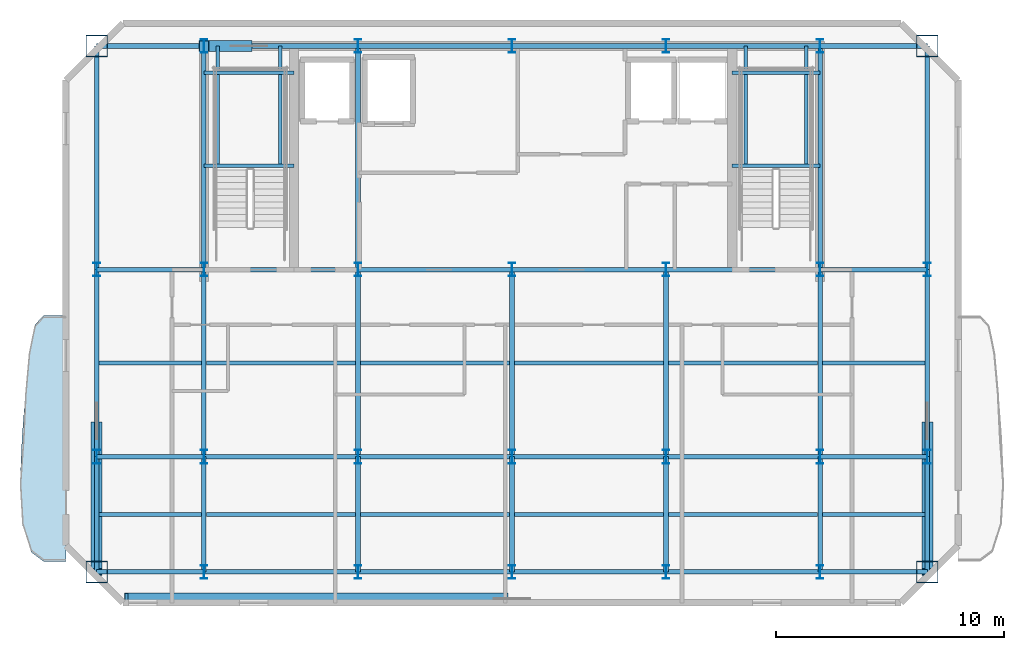
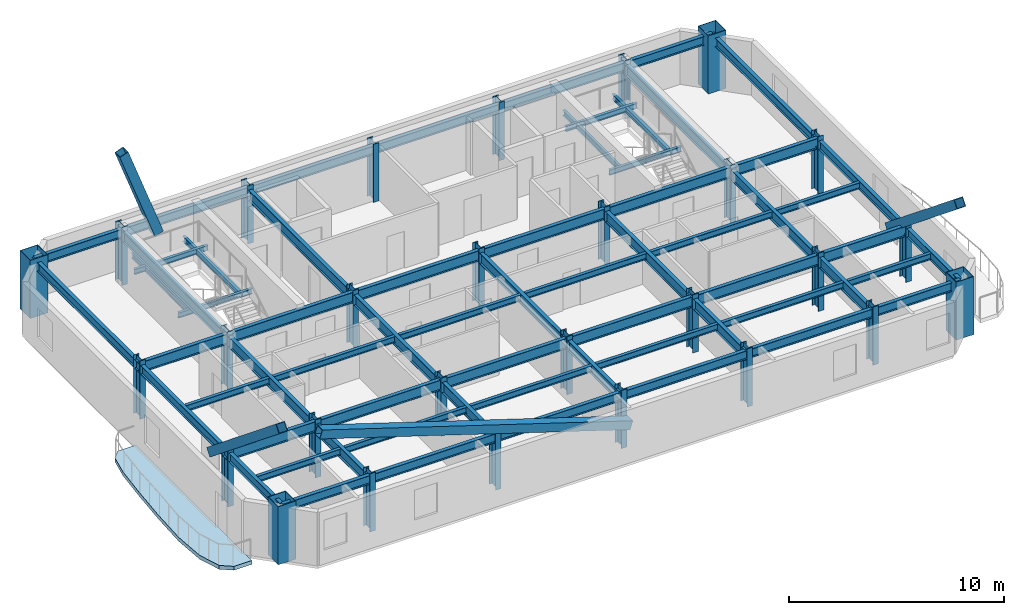
# One storey, part 1 of 6: 63 beams, 28 columns, 4 members, 1 slab.
"""IFC4 building model written with IfcOpenShell, lengths in metres."""

from ifc_helpers import new_model, si_unit, direction, frame, origin, origin_2d, place, context, subcontext, project, spatial, polyline, hollow_rectangle, i_section, outline, extrude, material, layer, layer_set, material_profile, profile_set, type_object, element, save


model = new_model("IFC4")

# Units and contexts
model_context = context("Model", 3, precision=1e-05, world=origin(), true_north=direction((0.0, 1.0)))
body_context = subcontext(model_context, "Body", "Model", "MODEL_VIEW")
ifc_project = project(units=[si_unit("LENGTHUNIT", "METRE"), si_unit("AREAUNIT", "SQUARE_METRE"), si_unit("VOLUMEUNIT", "CUBIC_METRE"), si_unit("PLANEANGLEUNIT", "RADIAN"), si_unit("MASSUNIT", "GRAM", prefix="KILO")], contexts=[model_context])

# Site, building, storey
site_placement = place(None, origin())
site = spatial("IfcSite", under=ifc_project, at=site_placement, CompositionType="ELEMENT")
building_placement = place(site_placement, origin())
building = spatial("IfcBuilding", under=site, at=building_placement, Name="Haevon Station Towers", CompositionType="ELEMENT")
storey_placement = place(building_placement, frame((0.0, 0.0, 262.5)))
storey = spatial("IfcBuildingStorey", under=building, at=storey_placement, Name="L73", CompositionType="ELEMENT", Elevation=262.5)

# Columns
ifc_material_1 = material(Name="Steel S460", Category="steel")
ifc_material_profile_1 = material_profile(ifc_material_1, hollow_rectangle(XDim=0.949951171875, YDim=0.949951171875, WallThickness=0.028076171875, at=origin_2d()), Name="BOX-950x950x28")
ifc_profile_set_1 = profile_set([ifc_material_profile_1], Name="Steel S460")
column_type_1 = type_object("IfcColumnType", Name="COL-MC6", PredefinedType="COLUMN", material=ifc_profile_set_1)
for number, where, z_axis, x_axis, name in (
    (1, (19.300048828125, 24.949951171875, 0.0), (0.0, 0.0, 1.0), (1.0, 0.0, 0.0), "COL-T1-L73-01-01"),
    (2, (19.300048828125, 48.0, 0.0), (0.0, 0.0, 1.0), (1.0, 0.0, 0.0), "COL-T1-L73-01-04"),
    (3, (55.699951171875, 24.949951171875, 0.0), (0.0, 0.0, 1.0), (1.0, 0.0, 0.0), "COL-T1-L73-07-01"),
    (4, (55.699951171875, 48.0, 0.0), (0.0, 0.0, 1.0), (1.0, 0.0, 0.0), "COL-T1-L73-07-04"),
):
    element("IfcColumn", number, at=place(storey_placement, frame(where, z_axis=z_axis, x_axis=x_axis)), inside=storey, type_object=column_type_1, Name=name, PredefinedType="COLUMN", context=body_context, shape_type="SweptSolid", body=[
        extrude(hollow_rectangle(XDim=0.949951171875, YDim=0.949951171875, WallThickness=0.028076171875, at=origin_2d()), origin(), (0.0, 0.0, 1.0), 3.300048828125),
    ])
ifc_material_2 = material(Name="Steel S355", Category="steel")
ifc_material_profile_2 = material_profile(ifc_material_2, i_section(OverallWidth=0.300048828125, OverallDepth=0.60009765625, WebThickness=0.013916015625, FlangeThickness=0.02490234375, at=origin_2d()), Name="H-600x300x14x25")
ifc_profile_set_2 = profile_set([ifc_material_profile_2], Name="Steel S355")
column_type_2 = type_object("IfcColumnType", Name="COL-TW4", PredefinedType="COLUMN", material=ifc_profile_set_2)
for number, where, z_axis, x_axis, name in (
    (5, (19.300048828125, 30.0, 0.0), (0.0, 0.0, 1.0), (1.0, 0.0, 0.0), "COL-T1-L73-01-02"),
    (6, (19.300048828125, 38.199951171875, 0.0), (0.0, 0.0, 1.0), (1.0, 0.0, 0.0), "COL-T1-L73-01-03"),
    (7, (24.0, 24.949951171875, 0.0), (0.0, 0.0, 1.0), (1.0, 0.0, 0.0), "COL-T1-L73-02-01"),
    (8, (24.0, 30.0, 0.0), (0.0, 0.0, 1.0), (1.0, 0.0, 0.0), "COL-T1-L73-02-02"),
    (9, (24.0, 38.199951171875, 0.0), (0.0, 0.0, 1.0), (1.0, 0.0, 0.0), "COL-T1-L73-02-03"),
    (10, (24.0, 48.0, 0.0), (0.0, 0.0, 1.0), (1.0, 0.0, 0.0), "COL-T1-L73-02-04"),
    (11, (30.75, 24.949951171875, 0.0), (0.0, 0.0, 1.0), (1.0, 0.0, 0.0), "COL-T1-L73-03-01"),
    (12, (30.75, 30.0, 0.0), (0.0, 0.0, 1.0), (1.0, 0.0, 0.0), "COL-T1-L73-03-02"),
    (13, (30.75, 38.199951171875, 0.0), (0.0, 0.0, 1.0), (1.0, 0.0, 0.0), "COL-T1-L73-03-03"),
    (14, (30.75, 48.0, 0.0), (0.0, 0.0, 1.0), (1.0, 0.0, 0.0), "COL-T1-L73-03-04"),
    (15, (37.5, 24.949951171875, 0.0), (0.0, 0.0, 1.0), (1.0, 0.0, 0.0), "COL-T1-L73-04-01"),
    (16, (37.5, 30.0, 0.0), (0.0, 0.0, 1.0), (1.0, 0.0, 0.0), "COL-T1-L73-04-02"),
    (17, (37.5, 38.199951171875, 0.0), (0.0, 0.0, 1.0), (1.0, 0.0, 0.0), "COL-T1-L73-04-03"),
    (18, (37.5, 48.0, 0.0), (0.0, 0.0, 1.0), (1.0, 0.0, 0.0), "COL-T1-L73-04-04"),
    (19, (44.25, 24.949951171875, 0.0), (0.0, 0.0, 1.0), (1.0, 0.0, 0.0), "COL-T1-L73-05-01"),
    (20, (44.25, 30.0, 0.0), (0.0, 0.0, 1.0), (1.0, 0.0, 0.0), "COL-T1-L73-05-02"),
    (21, (44.25, 38.199951171875, 0.0), (0.0, 0.0, 1.0), (1.0, 0.0, 0.0), "COL-T1-L73-05-03"),
    (22, (44.25, 48.0, 0.0), (0.0, 0.0, 1.0), (1.0, 0.0, 0.0), "COL-T1-L73-05-04"),
    (23, (51.0, 24.949951171875, 0.0), (0.0, 0.0, 1.0), (1.0, 0.0, 0.0), "COL-T1-L73-06-01"),
    (24, (51.0, 30.0, 0.0), (0.0, 0.0, 1.0), (1.0, 0.0, 0.0), "COL-T1-L73-06-02"),
    (25, (51.0, 38.199951171875, 0.0), (0.0, 0.0, 1.0), (1.0, 0.0, 0.0), "COL-T1-L73-06-03"),
    (26, (51.0, 48.0, 0.0), (0.0, 0.0, 1.0), (1.0, 0.0, 0.0), "COL-T1-L73-06-04"),
    (27, (55.699951171875, 30.0, 0.0), (0.0, 0.0, 1.0), (1.0, 0.0, 0.0), "COL-T1-L73-07-02"),
    (28, (55.699951171875, 38.199951171875, 0.0), (0.0, 0.0, 1.0), (1.0, 0.0, 0.0), "COL-T1-L73-07-03"),
):
    element("IfcColumn", number, at=place(storey_placement, frame(where, z_axis=z_axis, x_axis=x_axis)), inside=storey, type_object=column_type_2, Name=name, PredefinedType="COLUMN", context=body_context, shape_type="SweptSolid", body=[
        extrude(i_section(OverallWidth=0.300048828125, OverallDepth=0.60009765625, WebThickness=0.013916015625, FlangeThickness=0.02490234375, at=origin_2d()), origin(), (0.0, 0.0, 1.0), 3.300048828125),
    ])

# Beams
ifc_material_profile_3 = material_profile(ifc_material_2, i_section(OverallWidth=0.199951171875, OverallDepth=0.60009765625, WebThickness=0.010986328125, FlangeThickness=0.01708984375, at=origin_2d()), Name="H-600x200x11x17")
ifc_profile_set_3 = profile_set([ifc_material_profile_3], Name="Steel S355")
beam_type_1 = type_object("IfcBeamType", Name="BM-G600", PredefinedType="BEAM", material=ifc_profile_set_3)
beam_1_placement = place(storey_placement, frame((19.300048828125, 30.0, 2.75), z_axis=(1.0, 0.0, 0.0), x_axis=(0.0, 1.0, 0.0)))
element("IfcBeam", 29, at=beam_1_placement, inside=storey, type_object=beam_type_1, Name="BM-T1U-L73-02-01", PredefinedType="BEAM", context=body_context, shape_type="SweptSolid", body=[
    extrude(i_section(OverallWidth=0.199951171875, OverallDepth=0.60009765625, WebThickness=0.010986328125, FlangeThickness=0.01708984375, at=origin_2d()), origin(), (0.0, 0.0, 1.0), 4.699951171875),
])
for number, where, z_axis, x_axis, name in (
    (30, (24.0, 30.0, 2.75), (1.0, 0.0, 0.0), (0.0, 1.0, 0.0), "BM-T1U-L73-02-02"),
    (31, (30.75, 30.0, 2.75), (1.0, 0.0, 0.0), (0.0, 1.0, 0.0), "BM-T1U-L73-02-03"),
    (32, (37.5, 30.0, 2.75), (1.0, 0.0, 0.0), (0.0, 1.0, 0.0), "BM-T1U-L73-02-04"),
    (33, (44.25, 30.0, 2.75), (1.0, 0.0, 0.0), (0.0, 1.0, 0.0), "BM-T1U-L73-02-05"),
):
    element("IfcBeam", number, at=place(storey_placement, frame(where, z_axis=z_axis, x_axis=x_axis)), inside=storey, type_object=beam_type_1, Name=name, PredefinedType="BEAM", context=body_context, shape_type="SweptSolid", body=[
        extrude(i_section(OverallWidth=0.199951171875, OverallDepth=0.60009765625, WebThickness=0.010986328125, FlangeThickness=0.01708984375, at=origin_2d()), origin(), (0.0, 0.0, 1.0), 6.75),
    ])
for number, where, z_axis, x_axis, name in (
    (34, (51.0, 30.0, 2.75), (1.0, 0.0, 0.0), (0.0, 1.0, 0.0), "BM-T1U-L73-02-06"),
    (35, (19.300048828125, 38.199951171875, 2.75), (1.0, 0.0, 0.0), (0.0, 1.0, 0.0), "BM-T1U-L73-03-01"),
):
    element("IfcBeam", number, at=place(storey_placement, frame(where, z_axis=z_axis, x_axis=x_axis)), inside=storey, type_object=beam_type_1, Name=name, PredefinedType="BEAM", context=body_context, shape_type="SweptSolid", body=[
        extrude(i_section(OverallWidth=0.199951171875, OverallDepth=0.60009765625, WebThickness=0.010986328125, FlangeThickness=0.01708984375, at=origin_2d()), origin(), (0.0, 0.0, 1.0), 4.699951171875),
    ])
for number, where, z_axis, x_axis, name in (
    (36, (24.0, 38.199951171875, 2.75), (1.0, 0.0, 0.0), (0.0, 1.0, 0.0), "BM-T1U-L73-03-02"),
    (37, (30.75, 38.199951171875, 2.75), (1.0, 0.0, 0.0), (0.0, 1.0, 0.0), "BM-T1U-L73-03-03"),
    (38, (37.5, 38.199951171875, 2.75), (1.0, 0.0, 0.0), (0.0, 1.0, 0.0), "BM-T1U-L73-03-04"),
    (39, (44.25, 38.199951171875, 2.75), (1.0, 0.0, 0.0), (0.0, 1.0, 0.0), "BM-T1U-L73-03-05"),
):
    element("IfcBeam", number, at=place(storey_placement, frame(where, z_axis=z_axis, x_axis=x_axis)), inside=storey, type_object=beam_type_1, Name=name, PredefinedType="BEAM", context=body_context, shape_type="SweptSolid", body=[
        extrude(i_section(OverallWidth=0.199951171875, OverallDepth=0.60009765625, WebThickness=0.010986328125, FlangeThickness=0.01708984375, at=origin_2d()), origin(), (0.0, 0.0, 1.0), 6.75),
    ])
beam_2_placement = place(storey_placement, frame((51.0, 38.199951171875, 2.75), z_axis=(1.0, 0.0, 0.0), x_axis=(0.0, 1.0, 0.0)))
element("IfcBeam", 40, at=beam_2_placement, inside=storey, type_object=beam_type_1, Name="BM-T1U-L73-03-06", PredefinedType="BEAM", context=body_context, shape_type="SweptSolid", body=[
    extrude(i_section(OverallWidth=0.199951171875, OverallDepth=0.60009765625, WebThickness=0.010986328125, FlangeThickness=0.01708984375, at=origin_2d()), origin(), (0.0, 0.0, 1.0), 4.699951171875),
])
beam_3_placement = place(storey_placement, frame((24.0, 24.949951171875, 2.75), z_axis=(0.0, 1.0, 0.0), x_axis=(-1.0, 0.0, 0.0)))
element("IfcBeam", 41, at=beam_3_placement, inside=storey, type_object=beam_type_1, Name="BM-T1V-L73-02-01", PredefinedType="BEAM", context=body_context, shape_type="SweptSolid", body=[
    extrude(i_section(OverallWidth=0.199951171875, OverallDepth=0.60009765625, WebThickness=0.010986328125, FlangeThickness=0.01708984375, at=origin_2d()), origin(), (0.0, 0.0, 1.0), 5.050048828125),
])
beam_4_placement = place(storey_placement, frame((24.0, 30.0, 2.75), z_axis=(0.0, 1.0, 0.0), x_axis=(-1.0, 0.0, 0.0)))
element("IfcBeam", 42, at=beam_4_placement, inside=storey, type_object=beam_type_1, Name="BM-T1V-L73-02-02", PredefinedType="BEAM", context=body_context, shape_type="SweptSolid", body=[
    extrude(i_section(OverallWidth=0.199951171875, OverallDepth=0.60009765625, WebThickness=0.010986328125, FlangeThickness=0.01708984375, at=origin_2d()), origin(), (0.0, 0.0, 1.0), 8.199951171875),
])
beam_5_placement = place(storey_placement, frame((24.0, 38.199951171875, 2.75), z_axis=(0.0, 1.0, 0.0), x_axis=(-1.0, 0.0, 0.0)))
element("IfcBeam", 43, at=beam_5_placement, inside=storey, type_object=beam_type_1, Name="BM-T1V-L73-02-03", PredefinedType="BEAM", context=body_context, shape_type="SweptSolid", body=[
    extrude(i_section(OverallWidth=0.199951171875, OverallDepth=0.60009765625, WebThickness=0.010986328125, FlangeThickness=0.01708984375, at=origin_2d()), origin(), (0.0, 0.0, 1.0), 9.800048828125),
])
beam_6_placement = place(storey_placement, frame((30.75, 24.949951171875, 2.75), z_axis=(0.0, 1.0, 0.0), x_axis=(-1.0, 0.0, 0.0)))
element("IfcBeam", 44, at=beam_6_placement, inside=storey, type_object=beam_type_1, Name="BM-T1V-L73-03-01", PredefinedType="BEAM", context=body_context, shape_type="SweptSolid", body=[
    extrude(i_section(OverallWidth=0.199951171875, OverallDepth=0.60009765625, WebThickness=0.010986328125, FlangeThickness=0.01708984375, at=origin_2d()), origin(), (0.0, 0.0, 1.0), 5.050048828125),
])
beam_7_placement = place(storey_placement, frame((30.75, 30.0, 2.75), z_axis=(0.0, 1.0, 0.0), x_axis=(-1.0, 0.0, 0.0)))
element("IfcBeam", 45, at=beam_7_placement, inside=storey, type_object=beam_type_1, Name="BM-T1V-L73-03-02", PredefinedType="BEAM", context=body_context, shape_type="SweptSolid", body=[
    extrude(i_section(OverallWidth=0.199951171875, OverallDepth=0.60009765625, WebThickness=0.010986328125, FlangeThickness=0.01708984375, at=origin_2d()), origin(), (0.0, 0.0, 1.0), 8.199951171875),
])
beam_8_placement = place(storey_placement, frame((30.75, 38.199951171875, 2.75), z_axis=(0.0, 1.0, 0.0), x_axis=(-1.0, 0.0, 0.0)))
element("IfcBeam", 46, at=beam_8_placement, inside=storey, type_object=beam_type_1, Name="BM-T1V-L73-03-03", PredefinedType="BEAM", context=body_context, shape_type="SweptSolid", body=[
    extrude(i_section(OverallWidth=0.199951171875, OverallDepth=0.60009765625, WebThickness=0.010986328125, FlangeThickness=0.01708984375, at=origin_2d()), origin(), (0.0, 0.0, 1.0), 9.800048828125),
])
beam_9_placement = place(storey_placement, frame((37.5, 24.949951171875, 2.75), z_axis=(0.0, 1.0, 0.0), x_axis=(-1.0, 0.0, 0.0)))
element("IfcBeam", 47, at=beam_9_placement, inside=storey, type_object=beam_type_1, Name="BM-T1V-L73-04-01", PredefinedType="BEAM", context=body_context, shape_type="SweptSolid", body=[
    extrude(i_section(OverallWidth=0.199951171875, OverallDepth=0.60009765625, WebThickness=0.010986328125, FlangeThickness=0.01708984375, at=origin_2d()), origin(), (0.0, 0.0, 1.0), 5.050048828125),
])
beam_10_placement = place(storey_placement, frame((37.5, 30.0, 2.75), z_axis=(0.0, 1.0, 0.0), x_axis=(-1.0, 0.0, 0.0)))
element("IfcBeam", 48, at=beam_10_placement, inside=storey, type_object=beam_type_1, Name="BM-T1V-L73-04-02", PredefinedType="BEAM", context=body_context, shape_type="SweptSolid", body=[
    extrude(i_section(OverallWidth=0.199951171875, OverallDepth=0.60009765625, WebThickness=0.010986328125, FlangeThickness=0.01708984375, at=origin_2d()), origin(), (0.0, 0.0, 1.0), 8.199951171875),
])
beam_11_placement = place(storey_placement, frame((44.25, 24.949951171875, 2.75), z_axis=(0.0, 1.0, 0.0), x_axis=(-1.0, 0.0, 0.0)))
element("IfcBeam", 49, at=beam_11_placement, inside=storey, type_object=beam_type_1, Name="BM-T1V-L73-05-01", PredefinedType="BEAM", context=body_context, shape_type="SweptSolid", body=[
    extrude(i_section(OverallWidth=0.199951171875, OverallDepth=0.60009765625, WebThickness=0.010986328125, FlangeThickness=0.01708984375, at=origin_2d()), origin(), (0.0, 0.0, 1.0), 5.050048828125),
])
beam_12_placement = place(storey_placement, frame((44.25, 30.0, 2.75), z_axis=(0.0, 1.0, 0.0), x_axis=(-1.0, 0.0, 0.0)))
element("IfcBeam", 50, at=beam_12_placement, inside=storey, type_object=beam_type_1, Name="BM-T1V-L73-05-02", PredefinedType="BEAM", context=body_context, shape_type="SweptSolid", body=[
    extrude(i_section(OverallWidth=0.199951171875, OverallDepth=0.60009765625, WebThickness=0.010986328125, FlangeThickness=0.01708984375, at=origin_2d()), origin(), (0.0, 0.0, 1.0), 8.199951171875),
])
beam_13_placement = place(storey_placement, frame((51.0, 24.949951171875, 2.75), z_axis=(0.0, 1.0, 0.0), x_axis=(-1.0, 0.0, 0.0)))
element("IfcBeam", 51, at=beam_13_placement, inside=storey, type_object=beam_type_1, Name="BM-T1V-L73-06-01", PredefinedType="BEAM", context=body_context, shape_type="SweptSolid", body=[
    extrude(i_section(OverallWidth=0.199951171875, OverallDepth=0.60009765625, WebThickness=0.010986328125, FlangeThickness=0.01708984375, at=origin_2d()), origin(), (0.0, 0.0, 1.0), 5.050048828125),
])
beam_14_placement = place(storey_placement, frame((51.0, 30.0, 2.75), z_axis=(0.0, 1.0, 0.0), x_axis=(-1.0, 0.0, 0.0)))
element("IfcBeam", 52, at=beam_14_placement, inside=storey, type_object=beam_type_1, Name="BM-T1V-L73-06-02", PredefinedType="BEAM", context=body_context, shape_type="SweptSolid", body=[
    extrude(i_section(OverallWidth=0.199951171875, OverallDepth=0.60009765625, WebThickness=0.010986328125, FlangeThickness=0.01708984375, at=origin_2d()), origin(), (0.0, 0.0, 1.0), 8.199951171875),
])
beam_15_placement = place(storey_placement, frame((51.0, 38.199951171875, 2.75), z_axis=(0.0, 1.0, 0.0), x_axis=(-1.0, 0.0, 0.0)))
element("IfcBeam", 53, at=beam_15_placement, inside=storey, type_object=beam_type_1, Name="BM-T1V-L73-06-03", PredefinedType="BEAM", context=body_context, shape_type="SweptSolid", body=[
    extrude(i_section(OverallWidth=0.199951171875, OverallDepth=0.60009765625, WebThickness=0.010986328125, FlangeThickness=0.01708984375, at=origin_2d()), origin(), (0.0, 0.0, 1.0), 9.800048828125),
])
ifc_material_profile_4 = material_profile(ifc_material_2, i_section(OverallWidth=0.175048828125, OverallDepth=0.35009765625, WebThickness=0.007080078125, FlangeThickness=0.010986328125, at=origin_2d()), Name="H-350x175x7x11")
ifc_profile_set_4 = profile_set([ifc_material_profile_4], Name="Steel S355")
beam_type_2 = type_object("IfcBeamType", Name="BM-J350", PredefinedType="JOIST", material=ifc_profile_set_4)
beam_16_placement = place(storey_placement, frame((19.409912109375, 27.47509765625, 2.875), z_axis=(1.0, 0.0, 0.0), x_axis=(0.0, 1.0, 0.0)))
element("IfcBeam", 54, at=beam_16_placement, inside=storey, type_object=beam_type_2, Name="BM-T1J-L73-01-01", PredefinedType="JOIST", context=body_context, shape_type="SweptSolid", body=[
    extrude(i_section(OverallWidth=0.175048828125, OverallDepth=0.35009765625, WebThickness=0.007080078125, FlangeThickness=0.010986328125, at=origin_2d()), origin(), (0.0, 0.0, 1.0), 4.47998046875),
])
for number, where, z_axis, x_axis, name in (
    (55, (24.110107421875, 27.47509765625, 2.875), (1.0, 0.0, 0.0), (0.0, 1.0, 0.0), "BM-T1J-L73-01-02"),
    (56, (30.860107421875, 27.47509765625, 2.875), (1.0, 0.0, 0.0), (0.0, 1.0, 0.0), "BM-T1J-L73-01-03"),
    (57, (37.610107421875, 27.47509765625, 2.875), (1.0, 0.0, 0.0), (0.0, 1.0, 0.0), "BM-T1J-L73-01-04"),
    (58, (44.360107421875, 27.47509765625, 2.875), (1.0, 0.0, 0.0), (0.0, 1.0, 0.0), "BM-T1J-L73-01-05"),
):
    element("IfcBeam", number, at=place(storey_placement, frame(where, z_axis=z_axis, x_axis=x_axis)), inside=storey, type_object=beam_type_2, Name=name, PredefinedType="JOIST", context=body_context, shape_type="SweptSolid", body=[
        extrude(i_section(OverallWidth=0.175048828125, OverallDepth=0.35009765625, WebThickness=0.007080078125, FlangeThickness=0.010986328125, at=origin_2d()), origin(), (0.0, 0.0, 1.0), 6.52978515625),
    ])
for number, where, z_axis, x_axis, name in (
    (59, (51.110107421875, 27.47509765625, 2.875), (1.0, 0.0, 0.0), (0.0, 1.0, 0.0), "BM-T1J-L73-01-06"),
    (60, (19.409912109375, 34.10009765625, 2.875), (1.0, 0.0, 0.0), (0.0, 1.0, 0.0), "BM-T1J-L73-02-01"),
):
    element("IfcBeam", number, at=place(storey_placement, frame(where, z_axis=z_axis, x_axis=x_axis)), inside=storey, type_object=beam_type_2, Name=name, PredefinedType="JOIST", context=body_context, shape_type="SweptSolid", body=[
        extrude(i_section(OverallWidth=0.175048828125, OverallDepth=0.35009765625, WebThickness=0.007080078125, FlangeThickness=0.010986328125, at=origin_2d()), origin(), (0.0, 0.0, 1.0), 4.47998046875),
    ])
for number, where, z_axis, x_axis, name in (
    (61, (24.110107421875, 34.10009765625, 2.875), (1.0, 0.0, 0.0), (0.0, 1.0, 0.0), "BM-T1J-L73-02-02"),
    (62, (30.860107421875, 34.10009765625, 2.875), (1.0, 0.0, 0.0), (0.0, 1.0, 0.0), "BM-T1J-L73-02-03"),
    (63, (37.610107421875, 34.10009765625, 2.875), (1.0, 0.0, 0.0), (0.0, 1.0, 0.0), "BM-T1J-L73-02-04"),
    (64, (44.360107421875, 34.10009765625, 2.875), (1.0, 0.0, 0.0), (0.0, 1.0, 0.0), "BM-T1J-L73-02-05"),
):
    element("IfcBeam", number, at=place(storey_placement, frame(where, z_axis=z_axis, x_axis=x_axis)), inside=storey, type_object=beam_type_2, Name=name, PredefinedType="JOIST", context=body_context, shape_type="SweptSolid", body=[
        extrude(i_section(OverallWidth=0.175048828125, OverallDepth=0.35009765625, WebThickness=0.007080078125, FlangeThickness=0.010986328125, at=origin_2d()), origin(), (0.0, 0.0, 1.0), 6.52978515625),
    ])
beam_17_placement = place(storey_placement, frame((51.110107421875, 34.10009765625, 2.875), z_axis=(1.0, 0.0, 0.0), x_axis=(0.0, 1.0, 0.0)))
element("IfcBeam", 65, at=beam_17_placement, inside=storey, type_object=beam_type_2, Name="BM-T1J-L73-02-06", PredefinedType="JOIST", context=body_context, shape_type="SweptSolid", body=[
    extrude(i_section(OverallWidth=0.175048828125, OverallDepth=0.35009765625, WebThickness=0.007080078125, FlangeThickness=0.010986328125, at=origin_2d()), origin(), (0.0, 0.0, 1.0), 4.47998046875),
])
ifc_material_profile_5 = material_profile(ifc_material_2, i_section(OverallWidth=0.14990234375, OverallDepth=0.300048828125, WebThickness=0.006591796875, FlangeThickness=0.009033203125, at=origin_2d()), Name="H-300x150x6.5x9")
ifc_profile_set_5 = profile_set([ifc_material_profile_5], Name="Steel S355")
beam_type_3 = type_object("IfcBeamType", Name="BM-LIN300", PredefinedType="LINTEL", material=ifc_profile_set_5)
for number, where, z_axis, x_axis, name in (
    (66, (24.0, 42.743896484375, 1.300048828125), (1.0, 0.0, 0.0), (0.0, 1.0, 0.0), "BM-ST1L-L73-1-S"),
    (67, (24.0, 46.820068359375, 1.300048828125), (1.0, 0.0, 0.0), (0.0, 1.0, 0.0), "BM-ST1L-L73-1-N"),
):
    element("IfcBeam", number, at=place(storey_placement, frame(where, z_axis=z_axis, x_axis=x_axis)), inside=storey, type_object=beam_type_3, Name=name, PredefinedType="LINTEL", context=body_context, shape_type="SweptSolid", body=[
        extrude(i_section(OverallWidth=0.14990234375, OverallDepth=0.300048828125, WebThickness=0.006591796875, FlangeThickness=0.009033203125, at=origin_2d()), origin(), (0.0, 0.0, 1.0), 3.949951171875),
    ])
for number, where, z_axis, x_axis, name in (
    (68, (24.60009765625, 42.743896484375, 1.300048828125), (0.0, 1.0, 0.0), (-1.0, 0.0, 0.0), "BM-ST1L-L73-1-W"),
    (69, (27.35009765625, 42.743896484375, 1.300048828125), (0.0, 1.0, 0.0), (-1.0, 0.0, 0.0), "BM-ST1L-L73-1-E"),
):
    element("IfcBeam", number, at=place(storey_placement, frame(where, z_axis=z_axis, x_axis=x_axis)), inside=storey, type_object=beam_type_3, Name=name, PredefinedType="LINTEL", context=body_context, shape_type="SweptSolid", body=[
        extrude(i_section(OverallWidth=0.14990234375, OverallDepth=0.300048828125, WebThickness=0.006591796875, FlangeThickness=0.009033203125, at=origin_2d()), origin(), (0.0, 0.0, 1.0), 5.256103515625),
    ])
for number, where, z_axis, x_axis, name in (
    (70, (47.14990234375, 42.743896484375, 1.300048828125), (1.0, 0.0, 0.0), (0.0, 1.0, 0.0), "BM-ST2L-L73-1-S"),
    (71, (47.14990234375, 46.820068359375, 1.300048828125), (1.0, 0.0, 0.0), (0.0, 1.0, 0.0), "BM-ST2L-L73-1-N"),
):
    element("IfcBeam", number, at=place(storey_placement, frame(where, z_axis=z_axis, x_axis=x_axis)), inside=storey, type_object=beam_type_3, Name=name, PredefinedType="LINTEL", context=body_context, shape_type="SweptSolid", body=[
        extrude(i_section(OverallWidth=0.14990234375, OverallDepth=0.300048828125, WebThickness=0.006591796875, FlangeThickness=0.009033203125, at=origin_2d()), origin(), (0.0, 0.0, 1.0), 3.85009765625),
    ])
for number, where, z_axis, x_axis, name in (
    (72, (47.75, 42.743896484375, 1.300048828125), (0.0, 1.0, 0.0), (-1.0, 0.0, 0.0), "BM-ST2L-L73-1-W"),
    (73, (50.39990234375, 42.743896484375, 1.300048828125), (0.0, 1.0, 0.0), (-1.0, 0.0, 0.0), "BM-ST2L-L73-1-E"),
):
    element("IfcBeam", number, at=place(storey_placement, frame(where, z_axis=z_axis, x_axis=x_axis)), inside=storey, type_object=beam_type_3, Name=name, PredefinedType="LINTEL", context=body_context, shape_type="SweptSolid", body=[
        extrude(i_section(OverallWidth=0.14990234375, OverallDepth=0.300048828125, WebThickness=0.006591796875, FlangeThickness=0.009033203125, at=origin_2d()), origin(), (0.0, 0.0, 1.0), 5.256103515625),
    ])
ifc_material_profile_6 = material_profile(ifc_material_2, i_section(OverallWidth=0.199951171875, OverallDepth=0.5, WebThickness=0.010009765625, FlangeThickness=0.01611328125, at=origin_2d()), Name="H-500x200x10x16")
ifc_profile_set_6 = profile_set([ifc_material_profile_6], Name="Steel S355")
beam_type_4 = type_object("IfcBeamType", Name="BM-SP500", PredefinedType="SPANDREL", material=ifc_profile_set_6)
beam_18_placement = place(storey_placement, frame((19.300048828125, 24.949951171875, 2.800048828125), z_axis=(1.0, 0.0, 0.0), x_axis=(0.0, 1.0, 0.0)))
element("IfcBeam", 74, at=beam_18_placement, inside=storey, type_object=beam_type_4, Name="BM-T1U-L73-01-01", PredefinedType="SPANDREL", context=body_context, shape_type="SweptSolid", body=[
    extrude(i_section(OverallWidth=0.199951171875, OverallDepth=0.5, WebThickness=0.010009765625, FlangeThickness=0.01611328125, at=origin_2d()), origin(), (0.0, 0.0, 1.0), 4.699951171875),
])
for number, where, z_axis, x_axis, name in (
    (75, (24.0, 24.949951171875, 2.800048828125), (1.0, 0.0, 0.0), (0.0, 1.0, 0.0), "BM-T1U-L73-01-02"),
    (76, (30.75, 24.949951171875, 2.800048828125), (1.0, 0.0, 0.0), (0.0, 1.0, 0.0), "BM-T1U-L73-01-03"),
    (77, (37.5, 24.949951171875, 2.800048828125), (1.0, 0.0, 0.0), (0.0, 1.0, 0.0), "BM-T1U-L73-01-04"),
    (78, (44.25, 24.949951171875, 2.800048828125), (1.0, 0.0, 0.0), (0.0, 1.0, 0.0), "BM-T1U-L73-01-05"),
):
    element("IfcBeam", number, at=place(storey_placement, frame(where, z_axis=z_axis, x_axis=x_axis)), inside=storey, type_object=beam_type_4, Name=name, PredefinedType="SPANDREL", context=body_context, shape_type="SweptSolid", body=[
        extrude(i_section(OverallWidth=0.199951171875, OverallDepth=0.5, WebThickness=0.010009765625, FlangeThickness=0.01611328125, at=origin_2d()), origin(), (0.0, 0.0, 1.0), 6.75),
    ])
for number, where, z_axis, x_axis, name in (
    (79, (51.0, 24.949951171875, 2.800048828125), (1.0, 0.0, 0.0), (0.0, 1.0, 0.0), "BM-T1U-L73-01-06"),
    (80, (19.300048828125, 48.0, 2.800048828125), (1.0, 0.0, 0.0), (0.0, 1.0, 0.0), "BM-T1U-L73-04-01"),
):
    element("IfcBeam", number, at=place(storey_placement, frame(where, z_axis=z_axis, x_axis=x_axis)), inside=storey, type_object=beam_type_4, Name=name, PredefinedType="SPANDREL", context=body_context, shape_type="SweptSolid", body=[
        extrude(i_section(OverallWidth=0.199951171875, OverallDepth=0.5, WebThickness=0.010009765625, FlangeThickness=0.01611328125, at=origin_2d()), origin(), (0.0, 0.0, 1.0), 4.699951171875),
    ])
for number, where, z_axis, x_axis, name in (
    (81, (24.0, 48.0, 2.800048828125), (1.0, 0.0, 0.0), (0.0, 1.0, 0.0), "BM-T1U-L73-04-02"),
    (82, (30.75, 48.0, 2.800048828125), (1.0, 0.0, 0.0), (0.0, 1.0, 0.0), "BM-T1U-L73-04-03"),
    (83, (37.5, 48.0, 2.800048828125), (1.0, 0.0, 0.0), (0.0, 1.0, 0.0), "BM-T1U-L73-04-04"),
    (84, (44.25, 48.0, 2.800048828125), (1.0, 0.0, 0.0), (0.0, 1.0, 0.0), "BM-T1U-L73-04-05"),
):
    element("IfcBeam", number, at=place(storey_placement, frame(where, z_axis=z_axis, x_axis=x_axis)), inside=storey, type_object=beam_type_4, Name=name, PredefinedType="SPANDREL", context=body_context, shape_type="SweptSolid", body=[
        extrude(i_section(OverallWidth=0.199951171875, OverallDepth=0.5, WebThickness=0.010009765625, FlangeThickness=0.01611328125, at=origin_2d()), origin(), (0.0, 0.0, 1.0), 6.75),
    ])
beam_19_placement = place(storey_placement, frame((51.0, 48.0, 2.800048828125), z_axis=(1.0, 0.0, 0.0), x_axis=(0.0, 1.0, 0.0)))
element("IfcBeam", 85, at=beam_19_placement, inside=storey, type_object=beam_type_4, Name="BM-T1U-L73-04-06", PredefinedType="SPANDREL", context=body_context, shape_type="SweptSolid", body=[
    extrude(i_section(OverallWidth=0.199951171875, OverallDepth=0.5, WebThickness=0.010009765625, FlangeThickness=0.01611328125, at=origin_2d()), origin(), (0.0, 0.0, 1.0), 4.699951171875),
])
beam_20_placement = place(storey_placement, frame((19.300048828125, 24.949951171875, 2.800048828125), z_axis=(0.0, 1.0, 0.0), x_axis=(-1.0, 0.0, 0.0)))
element("IfcBeam", 86, at=beam_20_placement, inside=storey, type_object=beam_type_4, Name="BM-T1V-L73-01-01", PredefinedType="SPANDREL", context=body_context, shape_type="SweptSolid", body=[
    extrude(i_section(OverallWidth=0.199951171875, OverallDepth=0.5, WebThickness=0.010009765625, FlangeThickness=0.01611328125, at=origin_2d()), origin(), (0.0, 0.0, 1.0), 5.050048828125),
])
beam_21_placement = place(storey_placement, frame((19.300048828125, 30.0, 2.800048828125), z_axis=(0.0, 1.0, 0.0), x_axis=(-1.0, 0.0, 0.0)))
element("IfcBeam", 87, at=beam_21_placement, inside=storey, type_object=beam_type_4, Name="BM-T1V-L73-01-02", PredefinedType="SPANDREL", context=body_context, shape_type="SweptSolid", body=[
    extrude(i_section(OverallWidth=0.199951171875, OverallDepth=0.5, WebThickness=0.010009765625, FlangeThickness=0.01611328125, at=origin_2d()), origin(), (0.0, 0.0, 1.0), 8.199951171875),
])
beam_22_placement = place(storey_placement, frame((19.300048828125, 38.199951171875, 2.800048828125), z_axis=(0.0, 1.0, 0.0), x_axis=(-1.0, 0.0, 0.0)))
element("IfcBeam", 88, at=beam_22_placement, inside=storey, type_object=beam_type_4, Name="BM-T1V-L73-01-03", PredefinedType="SPANDREL", context=body_context, shape_type="SweptSolid", body=[
    extrude(i_section(OverallWidth=0.199951171875, OverallDepth=0.5, WebThickness=0.010009765625, FlangeThickness=0.01611328125, at=origin_2d()), origin(), (0.0, 0.0, 1.0), 9.800048828125),
])
beam_23_placement = place(storey_placement, frame((55.699951171875, 24.949951171875, 2.800048828125), z_axis=(0.0, 1.0, 0.0), x_axis=(-1.0, 0.0, 0.0)))
element("IfcBeam", 89, at=beam_23_placement, inside=storey, type_object=beam_type_4, Name="BM-T1V-L73-07-01", PredefinedType="SPANDREL", context=body_context, shape_type="SweptSolid", body=[
    extrude(i_section(OverallWidth=0.199951171875, OverallDepth=0.5, WebThickness=0.010009765625, FlangeThickness=0.01611328125, at=origin_2d()), origin(), (0.0, 0.0, 1.0), 5.050048828125),
])
beam_24_placement = place(storey_placement, frame((55.699951171875, 30.0, 2.800048828125), z_axis=(0.0, 1.0, 0.0), x_axis=(-1.0, 0.0, 0.0)))
element("IfcBeam", 90, at=beam_24_placement, inside=storey, type_object=beam_type_4, Name="BM-T1V-L73-07-02", PredefinedType="SPANDREL", context=body_context, shape_type="SweptSolid", body=[
    extrude(i_section(OverallWidth=0.199951171875, OverallDepth=0.5, WebThickness=0.010009765625, FlangeThickness=0.01611328125, at=origin_2d()), origin(), (0.0, 0.0, 1.0), 8.199951171875),
])
beam_25_placement = place(storey_placement, frame((55.699951171875, 38.199951171875, 2.800048828125), z_axis=(0.0, 1.0, 0.0), x_axis=(-1.0, 0.0, 0.0)))
element("IfcBeam", 91, at=beam_25_placement, inside=storey, type_object=beam_type_4, Name="BM-T1V-L73-07-03", PredefinedType="SPANDREL", context=body_context, shape_type="SweptSolid", body=[
    extrude(i_section(OverallWidth=0.199951171875, OverallDepth=0.5, WebThickness=0.010009765625, FlangeThickness=0.01611328125, at=origin_2d()), origin(), (0.0, 0.0, 1.0), 9.800048828125),
])

# Members
ifc_material_profile_7 = material_profile(ifc_material_1, hollow_rectangle(XDim=0.47998046875, YDim=0.47998046875, WallThickness=0.02490234375, at=origin_2d()), Name="RHS-480x480x25")
ifc_profile_set_7 = profile_set([ifc_material_profile_7], Name="Steel S460")
member_type = type_object("IfcMemberType", Name="MB-480", PredefinedType="BRACE", material=ifc_profile_set_7)
member_1_placement = place(storey_placement, frame((37.260009765625, 23.780029296875, 2.04150390625), z_axis=(-0.952798250502, 0.0, 0.303604172964), x_axis=(0.0, -1.0, 0.0)))
element("IfcMember", 92, at=member_1_placement, inside=storey, type_object=member_type, Name="BR-T1MB-T11-S-D2B", PredefinedType="BRACE", context=body_context, shape_type="SweptSolid", body=[
    extrude(hollow_rectangle(XDim=0.47998046875, YDim=0.47998046875, WallThickness=0.02490234375, at=origin_2d()), origin(), (0.0, 0.0, 1.0), 17.4853515625),
])
member_2_placement = place(storey_placement, frame((25.88818359375, 48.0, 2.20166015625), z_axis=(-0.344322671964, 0.0, 0.938851371396), x_axis=(0.0, -1.0, 0.0)))
element("IfcMember", 93, at=member_2_placement, inside=storey, type_object=member_type, Name="BR-T1MB-T11-N-D2B", PredefinedType="BRACE", context=body_context, shape_type="SweptSolid", body=[
    extrude(hollow_rectangle(XDim=0.47998046875, YDim=0.47998046875, WallThickness=0.02490234375, at=origin_2d()), origin(), (0.0, 0.0, 1.0), 5.483642578125),
])
for number, where, z_axis, x_axis, name in (
    (94, (19.300048828125, 31.37939453125, 2.1240234375), (0.0, -0.775986899265, 0.630749024707), (1.0, 0.0, 0.0), "BR-T1MB-T11-W-D2B"),
    (95, (55.699951171875, 31.37939453125, 2.1240234375), (0.0, -0.775986899265, 0.630749024707), (1.0, 0.0, 0.0), "BR-T1MB-T11-E-D2B"),
):
    element("IfcMember", number, at=place(storey_placement, frame(where, z_axis=z_axis, x_axis=x_axis)), inside=storey, type_object=member_type, Name=name, PredefinedType="BRACE", context=body_context, shape_type="SweptSolid", body=[
        extrude(hollow_rectangle(XDim=0.47998046875, YDim=0.47998046875, WallThickness=0.02490234375, at=origin_2d()), origin(), (0.0, 0.0, 1.0), 8.285400390625),
    ])

# Slab
ifc_material_3 = material(Name="Concrete C40/50", Category="concrete")
ifc_layer = layer(ifc_material_3, 0.219970703125)
ifc_layer_set = layer_set([ifc_layer], Name="Concrete C40/50")
slab_type = type_object("IfcSlabType", Name="SL-BALC220", PredefinedType="FLOOR", material=ifc_layer_set)
slab_placement = place(storey_placement, frame((0.0, 0.0, -0.219970703125)))
element("IfcSlab", 96, at=slab_placement, inside=storey, type_object=slab_type, Name="Tower 1 L73 West SCALLOPED BALCONY", PredefinedType="FLOOR", context=body_context, shape_type="SweptSolid", body=[
    extrude(outline(polyline([(17.945068359375, 36.199951171875), (16.987548828125, 36.199951171875), (16.596923828125, 35.7890625), (16.3505859375, 34.618408203125), (16.18017578125, 32.866455078125), (16.0244140625, 30.800048828125), (15.937744140625, 28.7333984375), (16.052734375, 26.981689453125), (16.43408203125, 25.81103515625), (16.987548828125, 25.39990234375), (17.945068359375, 25.39990234375), (17.945068359375, 36.199951171875)])), origin(), (0.0, 0.0, 1.0), 0.219970703125),
])

save(model, "model.ifc")
